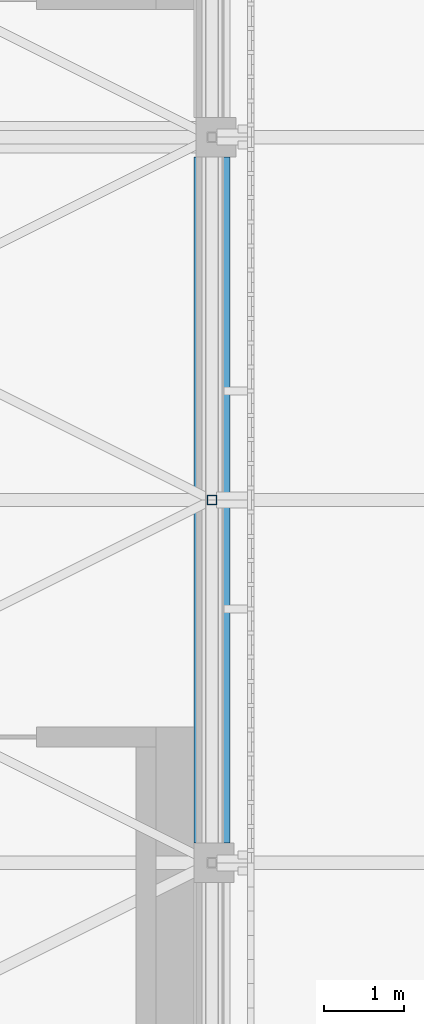
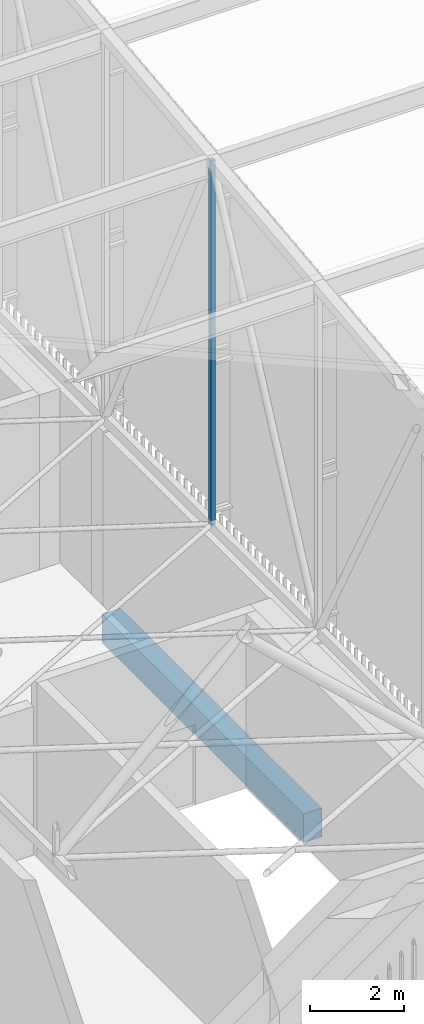
# One storey, part 343 of 500: 1 beam, 1 member.
"""IFC4 building model written with IfcOpenShell, lengths in metres."""

from ifc_helpers import new_model, si_unit, direction, frame, origin, origin_2d, place, context, subcontext, project, spatial, rectangle, hollow_rectangle, extrude, material, material_profile, profile_set, type_object, element, save


model = new_model("IFC4")

# Units and contexts
model_context = context("Model", 3, precision=1e-05, world=origin(), true_north=direction((0.0, 1.0)))
body_context = subcontext(model_context, "Body", "Model", "MODEL_VIEW")
ifc_project = project(units=[si_unit("LENGTHUNIT", "METRE"), si_unit("AREAUNIT", "SQUARE_METRE"), si_unit("VOLUMEUNIT", "CUBIC_METRE"), si_unit("PLANEANGLEUNIT", "RADIAN"), si_unit("MASSUNIT", "GRAM", prefix="KILO")], contexts=[model_context])

# Site, building, storey
site_placement = place(None, origin())
site = spatial("IfcSite", under=ifc_project, at=site_placement, CompositionType="ELEMENT")
building_placement = place(site_placement, origin())
building = spatial("IfcBuilding", under=site, at=building_placement, Name="Shirokan Park Arena", CompositionType="ELEMENT")
storey_placement = place(building_placement, frame((0.0, 0.0, 29.1201171875)))
storey = spatial("IfcBuildingStorey", under=building, at=storey_placement, Name="L06", CompositionType="ELEMENT", Elevation=29.1201171875)

# Beam
ifc_material_1 = material(Name="Concrete C35", Category="concrete")
ifc_material_profile_1 = material_profile(ifc_material_1, rectangle(XDim=0.449951171875, YDim=0.75, at=origin_2d()), Name="450x750")
ifc_profile_set_1 = profile_set([ifc_material_profile_1], Name="Concrete C35")
beam_type = type_object("IfcBeamType", Name="RC girder 450x750", PredefinedType="BEAM", material=ifc_profile_set_1)
beam_placement = place(storey_placement, frame((145.60009765625, 9.35009765625, -0.5751953125), z_axis=(0.0, 1.0, 0.0), x_axis=(-1.0, 0.0, 0.0)))
element("IfcBeam", 1, at=beam_placement, inside=storey, type_object=beam_type, Name="Girder 17B-17C L06", PredefinedType="BEAM", context=body_context, shape_type="SweptSolid", body=[
    extrude(rectangle(XDim=0.449951171875, YDim=0.75, at=origin_2d()), origin(), (0.0, 0.0, 1.0), 8.599853515625),
])

# Member
ifc_material_2 = material(Name="Steel ASTM A500 Grade C", Category="steel")
ifc_material_profile_2 = material_profile(ifc_material_2, hollow_rectangle(XDim=0.114013671875, YDim=0.114013671875, WallThickness=0.00634765625, at=origin_2d()), Name="HSS114.3X114.3X6.4")
ifc_profile_set_2 = profile_set([ifc_material_profile_2], Name="Steel ASTM A500 Grade C")
member_type = type_object("IfcMemberType", Name="Truss post HSS114.3X114.3X6.4", PredefinedType="POST", material=ifc_profile_set_2)
member_placement = place(storey_placement, frame((145.60009765625, 13.64990234375, 4.677001953125), z_axis=(0.0, 0.0, 1.0), x_axis=(1.0, 0.0, 0.0)))
element("IfcMember", 2, at=member_placement, inside=storey, type_object=member_type, Name="Truss T17 post 6", PredefinedType="POST", context=body_context, shape_type="SweptSolid", body=[
    extrude(hollow_rectangle(XDim=0.114013671875, YDim=0.114013671875, WallThickness=0.00634765625, at=origin_2d()), origin(), (0.0, 0.0, 1.0), 9.505859375),
])

save(model, "model.ifc")
